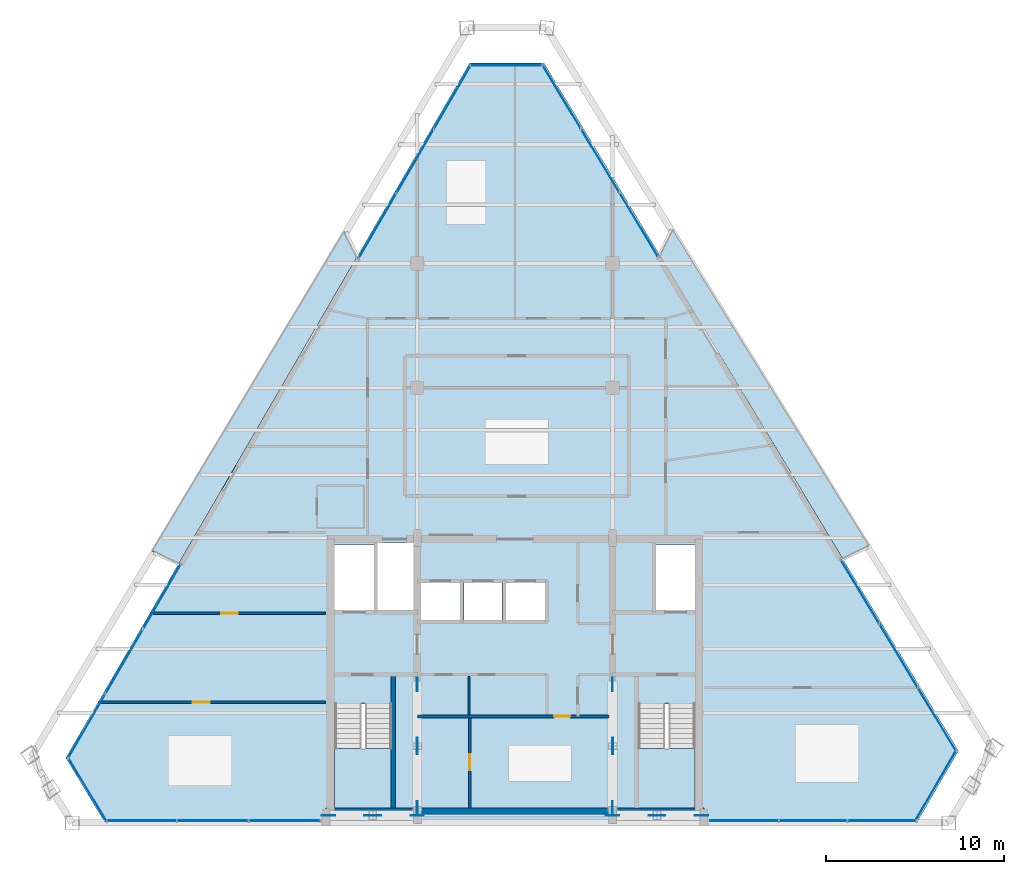
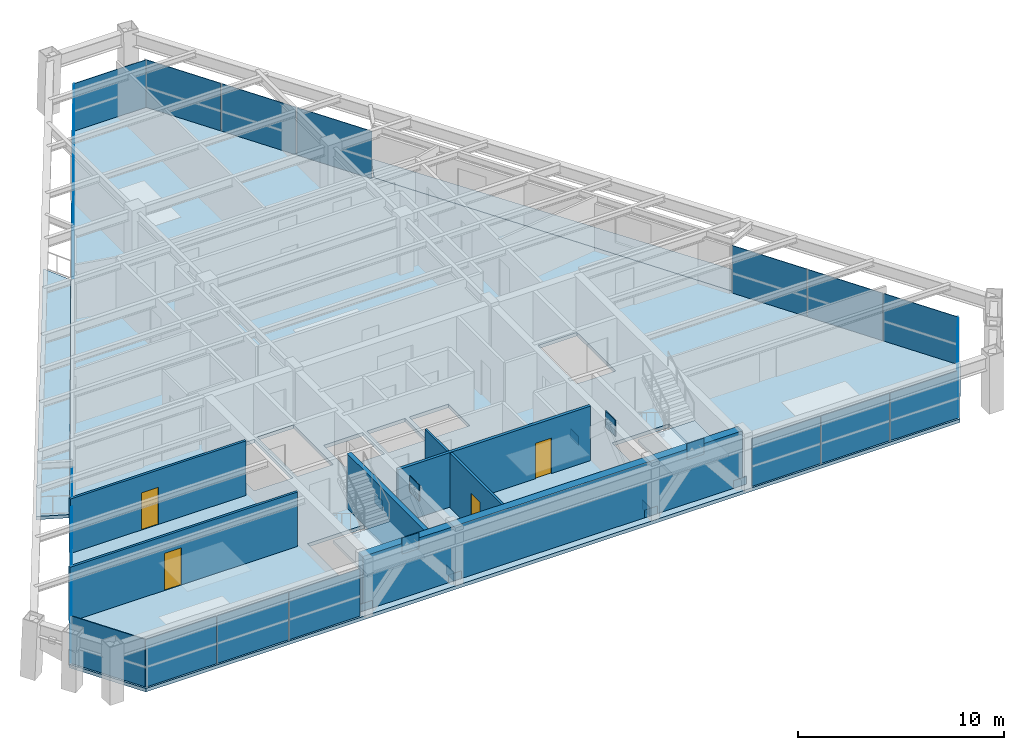
# One storey, part 8 of 13: 33 plates, 7 walls, 5 slabs, 4 doors, 4 openings, 11 elements without a shape of their own.
"""IFC4 building model written with IfcOpenShell, lengths in metres."""

from ifc_helpers import new_model, si_unit, direction, frame, frame_2d, origin, origin_2d, place, context, subcontext, project, spatial, polyline, rectangle, outline, extrude, source, transform, mapped, material, layer, layer_set, type_object, type_shapes, element, fill, aggregate, save


model = new_model("IFC4")

# Units and contexts
model_context = context("Model", 3, precision=1e-05, world=origin(), true_north=direction((0.0, 1.0)))
body_context = subcontext(model_context, "Body", "Model", "MODEL_VIEW")
ifc_project = project(units=[si_unit("LENGTHUNIT", "METRE"), si_unit("AREAUNIT", "SQUARE_METRE"), si_unit("VOLUMEUNIT", "CUBIC_METRE"), si_unit("PLANEANGLEUNIT", "RADIAN"), si_unit("MASSUNIT", "GRAM", prefix="KILO")], contexts=[model_context])

# Site, building, storey
site_placement = place(None, origin())
site = spatial("IfcSite", under=ifc_project, at=site_placement, CompositionType="ELEMENT")
building_placement = place(site_placement, origin())
building = spatial("IfcBuilding", under=site, at=building_placement, Name="Varnakhor Terracotta Tower", CompositionType="ELEMENT")
storey_placement = place(building_placement, frame((0.0, 0.0, 262.64990234375)))
storey = spatial("IfcBuildingStorey", under=building, at=storey_placement, Name="L68", CompositionType="ELEMENT", Elevation=262.64990234375)

# Slab
ifc_material_1 = material(Name="Concrete C40/50", Category="concrete")
ifc_layer_1 = layer(ifc_material_1, 0.2099609375, Name="Concrete C40/50")
ifc_layer_set_1 = layer_set([ifc_layer_1], Name="Concrete C40/50")
slab_type_1 = type_object("IfcSlabType", Name="SLB-HTL-210", PredefinedType="FLOOR", material=ifc_layer_set_1)
slab_1_placement = place(storey_placement, frame((0.0, 0.0, -0.2099609375)))
element("IfcSlab", 1, at=slab_1_placement, inside=storey, type_object=slab_type_1, Name="L68 Structural Floor Slab", PredefinedType="FLOOR", context=body_context, shape_type="SweptSolid", body=[
    extrude(outline(polyline([(-25.290771484375, 3.66259765625), (-2.554931640625, 42.78125), (1.635009765625, 42.78125), (24.976318359375, 4.053955078125), (22.6201171875, 0.0), (-23.083251953125, 0.0), (-25.290771484375, 3.66259765625)]), holes=[polyline([(-6.949951171875, 0.85009765625), (-6.949951171875, 6.695068359375), (-10.14990234375, 6.695068359375), (-10.14990234375, 0.85009765625), (-6.949951171875, 0.85009765625)]), polyline([(10.14990234375, 0.85009765625), (10.14990234375, 6.695068359375), (6.949951171875, 6.695068359375), (6.949951171875, 0.85009765625), (10.14990234375, 0.85009765625)]), polyline([(-3.10009765625, 11.419921875), (-3.10009765625, 13.52001953125), (-5.300048828125, 13.52001953125), (-5.300048828125, 11.419921875), (-3.10009765625, 11.419921875)]), polyline([(-0.719970703125, 11.419921875), (-0.719970703125, 13.52001953125), (-2.8798828125, 13.52001953125), (-2.8798828125, 11.419921875), (-0.719970703125, 11.419921875)]), polyline([(1.699951171875, 11.419921875), (1.699951171875, 13.52001953125), (-0.5, 13.52001953125), (-0.5, 11.419921875), (1.699951171875, 11.419921875)]), polyline([(-7.949951171875, 11.8798828125), (-7.949951171875, 15.64990234375), (-10.14990234375, 15.64990234375), (-10.14990234375, 11.8798828125), (-7.949951171875, 11.8798828125)]), polyline([(10.14990234375, 11.8798828125), (10.14990234375, 15.64990234375), (7.949951171875, 15.64990234375), (7.949951171875, 11.8798828125), (10.14990234375, 11.8798828125)]), polyline([(-5.699951171875, 11.8798828125), (-5.699951171875, 15.75), (-7.72998046875, 15.75), (-7.72998046875, 11.8798828125), (-5.699951171875, 11.8798828125)])]), origin(), (0.0, 0.0, 1.0), 0.2099609375),
])

# Stair, slab
stair_type = type_object("IfcStairType", Name="STR-CORE-HOTEL-1500", PredefinedType="HALF_TURN_STAIR", material=ifc_material_1)
stair_1_placement = place(storey_placement, origin())
stair_1 = element("IfcStair", 2, at=stair_1_placement, inside=storey, type_object=stair_type, Name="L68 Core Exit Stair ST-1", PredefinedType="HALF_TURN_STAIR")
ifc_layer_2 = layer(ifc_material_1, 0.179931640625, Name="Concrete C40/50")
ifc_layer_set_2 = layer_set([ifc_layer_2], Name="Concrete C40/50")
slab_type_2 = type_object("IfcSlabType", Name="SLB-LANDING-180", PredefinedType="LANDING", material=ifc_layer_set_2)
slab_2_placement = place(storey_placement, frame((0.0, 0.0, 1.525146484375)))
slab_2 = element("IfcSlab", 3, at=slab_2_placement, type_object=slab_type_2, Name="ST-1 landing 1", PredefinedType="LANDING", context=body_context, shape_type="SweptSolid", body=[
    extrude(outline(polyline([(-10.14990234375, 4.18994140625), (-10.14990234375, 0.85009765625), (-6.949951171875, 0.85009765625), (-6.949951171875, 4.18994140625), (-10.14990234375, 4.18994140625)])), origin(), (0.0, 0.0, 1.0), 0.199951171875),
])
aggregate(stair_1, [slab_2])

stair_2_placement = place(storey_placement, origin())
stair_2 = element("IfcStair", 4, at=stair_2_placement, inside=storey, type_object=stair_type, Name="L68 Core Exit Stair ST-2", PredefinedType="HALF_TURN_STAIR")
slab_3_placement = place(storey_placement, frame((0.0, 0.0, 1.525146484375)))
slab_3 = element("IfcSlab", 5, at=slab_3_placement, type_object=slab_type_2, Name="ST-2 landing 1", PredefinedType="LANDING", context=body_context, shape_type="SweptSolid", body=[
    extrude(outline(polyline([(6.949951171875, 4.18994140625), (6.949951171875, 0.85009765625), (10.14990234375, 0.85009765625), (10.14990234375, 4.18994140625), (6.949951171875, 4.18994140625)])), origin(), (0.0, 0.0, 1.0), 0.199951171875),
])
aggregate(stair_2, [slab_3])

# Slabs
ifc_layer_3 = layer(ifc_material_1, 0.195068359375, Name="Concrete C40/50")
ifc_layer_set_3 = layer_set([ifc_layer_3], Name="Concrete C40/50")
slab_type_3 = type_object("IfcSlabType", Name="SLB-LOGGIA-EXT-195", PredefinedType="FLOOR", material=ifc_layer_set_3)
slab_4_placement = place(storey_placement, frame((0.0, 0.0, -0.19482421875)))
element("IfcSlab", 6, at=slab_4_placement, inside=storey, type_object=slab_type_3, Name="L68 E Recessed Outdoor Loggia Slab", PredefinedType="FLOOR", context=body_context, shape_type="SweptSolid", body=[
    extrude(outline(polyline([(8.853515625, 33.419921875), (19.93310546875, 15.589111328125), (18.440673828125, 14.8974609375), (8.17041015625, 31.9375), (8.853515625, 33.419921875)])), origin(), (0.0, 0.0, 1.0), 0.19482421875),
])
slab_5_placement = place(storey_placement, frame((0.0, 0.0, -0.19482421875)))
element("IfcSlab", 7, at=slab_5_placement, inside=storey, type_object=slab_type_3, Name="L68 W Recessed Outdoor Loggia Slab", PredefinedType="FLOOR", context=body_context, shape_type="SweptSolid", body=[
    extrude(outline(polyline([(-20.4306640625, 15.294189453125), (-9.609375, 33.305419921875), (-8.9208984375, 31.827880859375), (-13.785400390625, 23.45849609375), (-18.9248046875, 14.615966796875), (-20.4306640625, 15.294189453125)])), origin(), (0.0, 0.0, 1.0), 0.19482421875),
])

# Plates
ifc_material_2 = material(Name="Steel S460", Category="steel")
ifc_layer_4 = layer(ifc_material_2, 0.050048828125, Name="Steel S460")
ifc_layer_set_4 = layer_set([ifc_layer_4], Name="Steel S460")
plate_type_1 = type_object("IfcPlateType", Name="PLT-GUSSET-50", PredefinedType="USERDEFINED", material=ifc_layer_set_4)
shared_shape_1 = source(origin(), body_context, "Body", "SweptSolid", [
    extrude(rectangle(XDim=0.75, YDim=0.0400390625, at=origin_2d()), origin(), (0.0, 0.0, 1.0), 0.550048828125),
])
type_shapes(plate_type_1, [shared_shape_1])
for number, where, z_axis, x_axis, name in (
    (8, (-10.5, 0.419921875, -0.0947265625), (0.0, 0.0, 1.0), (1.0, 0.0, 0.0), "L68 Core Brace Embed Plate CSWA"),
    (9, (-5.5, 0.419921875, -0.0947265625), (0.0, 0.0, 1.0), (1.0, 0.0, 0.0), "L68 Core Brace Embed Plate CSWB"),
    (10, (5.5, 0.419921875, -0.0947265625), (0.0, 0.0, 1.0), (1.0, 0.0, 0.0), "L68 Core Brace Embed Plate CSEA"),
    (11, (10.5, 0.419921875, -0.0947265625), (0.0, 0.0, 1.0), (1.0, 0.0, 0.0), "L68 Core Brace Embed Plate CSEB"),
    (12, (-5.5, 0.85009765625, -0.0947265625), (0.0, 0.0, 1.0), (0.0, 1.0, 0.0), "L68 Core Brace Embed Plate CWWA"),
    (13, (-5.5, 7.800048828125, -0.0947265625), (0.0, 0.0, 1.0), (0.0, 1.0, 0.0), "L68 Core Brace Embed Plate CWWB"),
    (14, (5.5, 0.85009765625, -0.0947265625), (0.0, 0.0, 1.0), (0.0, 1.0, 0.0), "L68 Core Brace Embed Plate CWEA"),
    (15, (5.5, 7.800048828125, -0.0947265625), (0.0, 0.0, 1.0), (0.0, 1.0, 0.0), "L68 Core Brace Embed Plate CWEB"),
):
    element("IfcPlate", number, at=place(storey_placement, frame(where, z_axis=z_axis, x_axis=x_axis)), inside=storey, type_object=plate_type_1, Name=name, ObjectType="GUSSET PLATE", PredefinedType="USERDEFINED", context=body_context, shape_type="MappedRepresentation", body=[
        mapped(shared_shape_1, transform((0.0, 0.0, 0.0), scale=1.0)),
    ])
shared_shape_2 = source(origin(), body_context, "Body", "SweptSolid", [
    extrude(rectangle(XDim=0.949951171875, YDim=0.044921875, at=origin_2d()), origin(), (0.0, 0.0, 1.0), 0.949951171875),
])
for number, where, z_axis, x_axis, name in (
    (16, (-8.0, 0.419921875, 2.615234375), (0.0, 0.0, 1.0), (1.0, 0.0, 0.0), "L68 Core Brace Apex Gusset CSW"),
    (17, (8.0, 0.419921875, 2.615234375), (0.0, 0.0, 1.0), (1.0, 0.0, 0.0), "L68 Core Brace Apex Gusset CSE"),
    (18, (-5.5, 4.324951171875, 2.615234375), (0.0, 0.0, 1.0), (0.0, 1.0, 0.0), "L68 Core Brace Apex Gusset CWW"),
    (19, (5.5, 4.324951171875, 2.615234375), (0.0, 0.0, 1.0), (0.0, 1.0, 0.0), "L68 Core Brace Apex Gusset CWE"),
):
    element("IfcPlate", number, at=place(storey_placement, frame(where, z_axis=z_axis, x_axis=x_axis)), inside=storey, type_object=plate_type_1, Name=name, ObjectType="GUSSET PLATE", PredefinedType="USERDEFINED", context=body_context, shape_type="MappedRepresentation", body=[
        mapped(shared_shape_2, transform((0.0, 0.0, 0.0), scale=1.0)),
    ])

# Curtain wall, plate
ifc_material_3 = material(Name="Anodised Aluminium Curtain Wall System", Category="aluminium")
curtain_wall_type = type_object("IfcCurtainWallType", Name="CW-SYS-HOTEL-LOGGIA", PredefinedType="NOTDEFINED", material=ifc_material_3)
curtain_wall_1_placement = place(storey_placement, origin())
curtain_wall_1 = element("IfcCurtainWall", 20, at=curtain_wall_1_placement, inside=storey, type_object=curtain_wall_type, Name="L68 W Facet Curtain Wall 1", PredefinedType="NOTDEFINED")
ifc_material_4 = material(Name="Solar-Control Low-E Insulated Glass Panel", Category="glass")
ifc_layer_5 = layer(ifc_material_4, 0.033935546875, Name="Solar-Control Low-E Insulated Glass Panel")
ifc_layer_set_5 = layer_set([ifc_layer_5], Name="Solar-Control Low-E Insulated Glass Panel")
plate_type_2 = type_object("IfcPlateType", Name="CWP-04", PredefinedType="CURTAIN_PANEL", material=ifc_layer_set_5)
shared_shape_3 = source(origin(), body_context, "Body", "SweptSolid", [
    extrude(rectangle(XDim=4.1630859375, YDim=0.035888671875, at=origin_2d()), origin(), (0.0, 0.0, 1.0), 2.820068359375),
])
plate_1_placement = place(storey_placement, frame((-24.115966796875, 5.4453125, 0.0), z_axis=(0.0, 0.0, 1.0), x_axis=(0.502491897378, 0.864581918079, 0.0)))
plate_1 = element("IfcPlate", 21, at=plate_1_placement, type_object=plate_type_2, Name="L68 W Facet Curtain Wall 1 Glazed Panel 1", PredefinedType="CURTAIN_PANEL", context=body_context, shape_type="MappedRepresentation", body=[
    mapped(shared_shape_3, transform((0.0, 0.0, 0.0), scale=1.0)),
])

curtain_wall_2_placement = place(storey_placement, origin())
curtain_wall_2 = element("IfcCurtainWall", 22, at=curtain_wall_2_placement, inside=storey, type_object=curtain_wall_type, Name="L68 W Facet Curtain Wall 2", PredefinedType="NOTDEFINED")
plate_2_placement = place(storey_placement, frame((-3.522216796875, 40.878173828125, 0.0), z_axis=(0.0, 0.0, 1.0), x_axis=(0.502491897378, 0.864581918079, 0.0)))
plate_2 = element("IfcPlate", 23, at=plate_2_placement, type_object=plate_type_2, Name="L68 W Facet Curtain Wall 2 Glazed Panel 3", PredefinedType="CURTAIN_PANEL", context=body_context, shape_type="MappedRepresentation", body=[
    mapped(shared_shape_3, transform((0.0, 0.0, 0.0), scale=1.0)),
])

# Plate
shared_shape_4 = source(origin(), body_context, "Body", "SweptSolid", [
    extrude(rectangle(XDim=4.162841796875, YDim=0.035888671875, at=origin_2d()), origin(), (0.0, 0.0, 1.0), 2.820068359375),
])
plate_3_placement = place(storey_placement, frame((-22.00390625, 9.0791015625, 0.0), z_axis=(0.0, 0.0, 1.0), x_axis=(0.502491897378, 0.864581918079, 0.0)))
plate_3 = element("IfcPlate", 24, at=plate_3_placement, type_object=plate_type_2, Name="L68 W Facet Curtain Wall 1 Glazed Panel 2", PredefinedType="CURTAIN_PANEL", context=body_context, shape_type="MappedRepresentation", body=[
    mapped(shared_shape_4, transform((0.0, 0.0, 0.0), scale=1.0)),
])

plate_4_placement = place(storey_placement, frame((-19.89208984375, 12.712646484375, 0.0), z_axis=(0.0, 0.0, 1.0), x_axis=(0.502491897378, 0.864581918079, 0.0)))
plate_4 = element("IfcPlate", 25, at=plate_4_placement, type_object=plate_type_2, Name="L68 W Facet Curtain Wall 1 Glazed Panel 3", PredefinedType="CURTAIN_PANEL", context=body_context, shape_type="MappedRepresentation", body=[
    mapped(shared_shape_4, transform((0.0, 0.0, 0.0), scale=1.0)),
])

aggregate(curtain_wall_1, [plate_1, plate_3, plate_4])

plate_5_placement = place(storey_placement, frame((-7.74609375, 33.610595703125, 0.0), z_axis=(0.0, 0.0, 1.0), x_axis=(0.502491897378, 0.864581918079, 0.0)))
plate_5 = element("IfcPlate", 26, at=plate_5_placement, type_object=plate_type_2, Name="L68 W Facet Curtain Wall 2 Glazed Panel 1", PredefinedType="CURTAIN_PANEL", context=body_context, shape_type="MappedRepresentation", body=[
    mapped(shared_shape_4, transform((0.0, 0.0, 0.0), scale=1.0)),
])

plate_6_placement = place(storey_placement, frame((-5.63427734375, 37.244384765625, 0.0), z_axis=(0.0, 0.0, 1.0), x_axis=(0.502491897378, 0.864581918079, 0.0)))
plate_6 = element("IfcPlate", 27, at=plate_6_placement, type_object=plate_type_2, Name="L68 W Facet Curtain Wall 2 Glazed Panel 2", PredefinedType="CURTAIN_PANEL", context=body_context, shape_type="MappedRepresentation", body=[
    mapped(shared_shape_4, transform((0.0, 0.0, 0.0), scale=1.0)),
])

aggregate(curtain_wall_2, [plate_5, plate_6, plate_2])

# Curtain wall, plate
curtain_wall_3_placement = place(storey_placement, origin())
curtain_wall_3 = element("IfcCurtainWall", 28, at=curtain_wall_3_placement, inside=storey, type_object=curtain_wall_type, Name="L68 Facet Curtain Wall 2", PredefinedType="NOTDEFINED")
shared_shape_5 = source(origin(), body_context, "Body", "SweptSolid", [
    extrude(rectangle(XDim=4.08984375, YDim=0.035888671875, at=origin_2d()), origin(), (0.0, 0.0, 1.0), 2.820068359375),
])
plate_7_placement = place(storey_placement, frame((-0.4599609375, 42.6611328125, 0.0), z_axis=(0.0, 0.0, 1.0), x_axis=(1.0, 0.0, 0.0)))
plate_7 = element("IfcPlate", 29, at=plate_7_placement, type_object=plate_type_2, Name="L68 Facet Curtain Wall 2 Glazed Panel 1", PredefinedType="CURTAIN_PANEL", context=body_context, shape_type="MappedRepresentation", body=[
    mapped(shared_shape_5, transform((0.0, 0.0, 0.0), scale=1.0)),
])
aggregate(curtain_wall_3, [plate_7])

# Curtain wall, plates
curtain_wall_4_placement = place(storey_placement, origin())
curtain_wall_4 = element("IfcCurtainWall", 30, at=curtain_wall_4_placement, inside=storey, type_object=curtain_wall_type, Name="L68 E Facet Curtain Wall 1", PredefinedType="NOTDEFINED")
shared_shape_6 = source(origin(), body_context, "Body", "SweptSolid", [
    extrude(rectangle(XDim=4.160400390625, YDim=0.035888671875, at=origin_2d()), origin(), (0.0, 0.0, 1.0), 2.820068359375),
])
plate_8_placement = place(storey_placement, frame((2.631591796875, 40.89501953125, 0.0), z_axis=(0.0, 0.0, 1.0), x_axis=(0.516204507839, -0.856465356034, 0.0)))
plate_8 = element("IfcPlate", 31, at=plate_8_placement, type_object=plate_type_2, Name="L68 E Facet Curtain Wall 1 Glazed Panel 1", PredefinedType="CURTAIN_PANEL", context=body_context, shape_type="MappedRepresentation", body=[
    mapped(shared_shape_6, transform((0.0, 0.0, 0.0), scale=1.0)),
])
plate_9_placement = place(storey_placement, frame((4.7998046875, 37.29736328125, 0.0), z_axis=(0.0, 0.0, 1.0), x_axis=(0.516204507839, -0.856465356034, 0.0)))
plate_9 = element("IfcPlate", 32, at=plate_9_placement, type_object=plate_type_2, Name="L68 E Facet Curtain Wall 1 Glazed Panel 2", PredefinedType="CURTAIN_PANEL", context=body_context, shape_type="MappedRepresentation", body=[
    mapped(shared_shape_6, transform((0.0, 0.0, 0.0), scale=1.0)),
])
plate_10_placement = place(storey_placement, frame((6.968017578125, 33.699951171875, 0.0), z_axis=(0.0, 0.0, 1.0), x_axis=(0.516204507839, -0.856465356034, 0.0)))
plate_10 = element("IfcPlate", 33, at=plate_10_placement, type_object=plate_type_2, Name="L68 E Facet Curtain Wall 1 Glazed Panel 3", PredefinedType="CURTAIN_PANEL", context=body_context, shape_type="MappedRepresentation", body=[
    mapped(shared_shape_6, transform((0.0, 0.0, 0.0), scale=1.0)),
])
aggregate(curtain_wall_4, [plate_8, plate_9, plate_10])

curtain_wall_5_placement = place(storey_placement, origin())
curtain_wall_5 = element("IfcCurtainWall", 34, at=curtain_wall_5_placement, inside=storey, type_object=curtain_wall_type, Name="L68 E Facet Curtain Wall 2", PredefinedType="NOTDEFINED")
plate_11_placement = place(storey_placement, frame((19.4375, 13.01123046875, 0.0), z_axis=(0.0, 0.0, 1.0), x_axis=(0.516204507839, -0.856465356034, 0.0)))
plate_11 = element("IfcPlate", 35, at=plate_11_placement, type_object=plate_type_2, Name="L68 E Facet Curtain Wall 2 Glazed Panel 1", PredefinedType="CURTAIN_PANEL", context=body_context, shape_type="MappedRepresentation", body=[
    mapped(shared_shape_6, transform((0.0, 0.0, 0.0), scale=1.0)),
])
plate_12_placement = place(storey_placement, frame((21.605712890625, 9.413818359375, 0.0), z_axis=(0.0, 0.0, 1.0), x_axis=(0.516204507839, -0.856465356034, 0.0)))
plate_12 = element("IfcPlate", 36, at=plate_12_placement, type_object=plate_type_2, Name="L68 E Facet Curtain Wall 2 Glazed Panel 2", PredefinedType="CURTAIN_PANEL", context=body_context, shape_type="MappedRepresentation", body=[
    mapped(shared_shape_6, transform((0.0, 0.0, 0.0), scale=1.0)),
])
plate_13_placement = place(storey_placement, frame((23.773681640625, 5.81640625, 0.0), z_axis=(0.0, 0.0, 1.0), x_axis=(0.516204507839, -0.856465356034, 0.0)))
plate_13 = element("IfcPlate", 37, at=plate_13_placement, type_object=plate_type_2, Name="L68 E Facet Curtain Wall 2 Glazed Panel 3", PredefinedType="CURTAIN_PANEL", context=body_context, shape_type="MappedRepresentation", body=[
    mapped(shared_shape_6, transform((0.0, 0.0, 0.0), scale=1.0)),
])
aggregate(curtain_wall_5, [plate_11, plate_12, plate_13])

# Curtain wall, plate
curtain_wall_6_placement = place(storey_placement, origin())
curtain_wall_6 = element("IfcCurtainWall", 38, at=curtain_wall_6_placement, inside=storey, type_object=curtain_wall_type, Name="L68 Facet Curtain Wall 4", PredefinedType="NOTDEFINED")
shared_shape_7 = source(origin(), body_context, "Body", "SweptSolid", [
    extrude(rectangle(XDim=4.5888671875, YDim=0.035888671875, at=origin_2d()), origin(), (0.0, 0.0, 1.0), 2.820068359375),
])
plate_14_placement = place(storey_placement, frame((23.6943359375, 2.08740234375, 0.0), z_axis=(0.0, 0.0, 1.0), x_axis=(-0.502491897378, -0.864581918079, 0.0)))
plate_14 = element("IfcPlate", 39, at=plate_14_placement, type_object=plate_type_2, Name="L68 Facet Curtain Wall 4 Glazed Panel 1", PredefinedType="CURTAIN_PANEL", context=body_context, shape_type="MappedRepresentation", body=[
    mapped(shared_shape_7, transform((0.0, 0.0, 0.0), scale=1.0)),
])
aggregate(curtain_wall_6, [plate_14])

# Curtain wall, plates
curtain_wall_7_placement = place(storey_placement, origin())
curtain_wall_7 = element("IfcCurtainWall", 40, at=curtain_wall_7_placement, inside=storey, type_object=curtain_wall_type, Name="L68 South Wing Curtain Wall SSE", PredefinedType="NOTDEFINED")
shared_shape_8 = source(origin(), body_context, "Body", "SweptSolid", [
    extrude(rectangle(XDim=3.840087890625, YDim=0.035888671875, at=origin_2d()), origin(), (0.0, 0.0, 1.0), 2.820068359375),
])
plate_15_placement = place(storey_placement, frame((20.670166015625, 0.1201171875, 0.0), z_axis=(0.0, 0.0, 1.0), x_axis=(-1.0, 0.0, 0.0)))
plate_15 = element("IfcPlate", 41, at=plate_15_placement, type_object=plate_type_2, Name="L68 South Wing Curtain Wall SSE Glazed Panel 1", PredefinedType="CURTAIN_PANEL", context=body_context, shape_type="MappedRepresentation", body=[
    mapped(shared_shape_8, transform((0.0, 0.0, 0.0), scale=1.0)),
])
plate_16_placement = place(storey_placement, frame((16.7900390625, 0.1201171875, 0.0), z_axis=(0.0, 0.0, 1.0), x_axis=(-1.0, 0.0, 0.0)))
plate_16 = element("IfcPlate", 42, at=plate_16_placement, type_object=plate_type_2, Name="L68 South Wing Curtain Wall SSE Glazed Panel 2", PredefinedType="CURTAIN_PANEL", context=body_context, shape_type="MappedRepresentation", body=[
    mapped(shared_shape_8, transform((0.0, 0.0, 0.0), scale=1.0)),
])
plate_17_placement = place(storey_placement, frame((12.909912109375, 0.1201171875, 0.0), z_axis=(0.0, 0.0, 1.0), x_axis=(-1.0, 0.0, 0.0)))
plate_17 = element("IfcPlate", 43, at=plate_17_placement, type_object=plate_type_2, Name="L68 South Wing Curtain Wall SSE Glazed Panel 3", PredefinedType="CURTAIN_PANEL", context=body_context, shape_type="MappedRepresentation", body=[
    mapped(shared_shape_8, transform((0.0, 0.0, 0.0), scale=1.0)),
])
aggregate(curtain_wall_7, [plate_15, plate_16, plate_17])

curtain_wall_8_placement = place(storey_placement, origin())
curtain_wall_8 = element("IfcCurtainWall", 44, at=curtain_wall_8_placement, inside=storey, type_object=curtain_wall_type, Name="L68 South Wing Curtain Wall SSW", PredefinedType="NOTDEFINED")
shared_shape_9 = source(origin(), body_context, "Body", "SweptSolid", [
    extrude(rectangle(XDim=3.994384765625, YDim=0.035888671875, at=origin_2d()), origin(), (0.0, 0.0, 1.0), 2.820068359375),
])
plate_18_placement = place(storey_placement, frame((-12.9873046875, 0.1201171875, 0.0), z_axis=(0.0, 0.0, 1.0), x_axis=(-1.0, 0.0, 0.0)))
plate_18 = element("IfcPlate", 45, at=plate_18_placement, type_object=plate_type_2, Name="L68 South Wing Curtain Wall SSW Glazed Panel 1", PredefinedType="CURTAIN_PANEL", context=body_context, shape_type="MappedRepresentation", body=[
    mapped(shared_shape_9, transform((0.0, 0.0, 0.0), scale=1.0)),
])
plate_19_placement = place(storey_placement, frame((-17.021728515625, 0.1201171875, 0.0), z_axis=(0.0, 0.0, 1.0), x_axis=(-1.0, 0.0, 0.0)))
plate_19 = element("IfcPlate", 46, at=plate_19_placement, type_object=plate_type_2, Name="L68 South Wing Curtain Wall SSW Glazed Panel 2", PredefinedType="CURTAIN_PANEL", context=body_context, shape_type="MappedRepresentation", body=[
    mapped(shared_shape_9, transform((0.0, 0.0, 0.0), scale=1.0)),
])
plate_20_placement = place(storey_placement, frame((-21.05615234375, 0.1201171875, 0.0), z_axis=(0.0, 0.0, 1.0), x_axis=(-1.0, 0.0, 0.0)))
plate_20 = element("IfcPlate", 47, at=plate_20_placement, type_object=plate_type_2, Name="L68 South Wing Curtain Wall SSW Glazed Panel 3", PredefinedType="CURTAIN_PANEL", context=body_context, shape_type="MappedRepresentation", body=[
    mapped(shared_shape_9, transform((0.0, 0.0, 0.0), scale=1.0)),
])
aggregate(curtain_wall_8, [plate_18, plate_19, plate_20])

# Curtain wall, plate
curtain_wall_9_placement = place(storey_placement, origin())
curtain_wall_9 = element("IfcCurtainWall", 48, at=curtain_wall_9_placement, inside=storey, type_object=curtain_wall_type, Name="L68 Facet Curtain Wall 6", PredefinedType="NOTDEFINED")
shared_shape_10 = source(origin(), body_context, "Body", "SweptSolid", [
    extrude(rectangle(XDim=4.176513671875, YDim=0.035888671875, at=origin_2d()), origin(), (0.0, 0.0, 1.0), 2.820068359375),
])
plate_21_placement = place(storey_placement, frame((-24.084228515625, 1.893310546875, 0.0), z_axis=(0.0, 0.0, 1.0), x_axis=(-0.51618955962, 0.856474365372, 0.0)))
plate_21 = element("IfcPlate", 49, at=plate_21_placement, type_object=plate_type_2, Name="L68 Facet Curtain Wall 6 Glazed Panel 1", PredefinedType="CURTAIN_PANEL", context=body_context, shape_type="MappedRepresentation", body=[
    mapped(shared_shape_10, transform((0.0, 0.0, 0.0), scale=1.0)),
])
aggregate(curtain_wall_9, [plate_21])

# Wall
ifc_material_5 = material(Name="Concrete C50/60", Category="concrete")
ifc_layer_6 = layer(ifc_material_5, 0.449951171875, Name="Concrete C50/60")
ifc_layer_set_6 = layer_set([ifc_layer_6], Name="Concrete C50/60")
wall_type_1 = type_object("IfcWallType", Name="WAL-CORE-450", PredefinedType="SHEAR", material=ifc_layer_set_6)
wall_1_placement = place(storey_placement, frame((-10.64990234375, 0.625, 0.0), z_axis=(0.0, 0.0, 1.0), x_axis=(1.0, 0.0, 0.0)))
element("IfcWall", 50, at=wall_1_placement, inside=storey, type_object=wall_type_1, Name="L68 South Core Shear Wall", PredefinedType="SHEAR", context=body_context, shape_type="SweptSolid", body=[
    extrude(rectangle(XDim=21.2998046875, YDim=0.449951171875, at=frame_2d((10.64990234375, 0.0))), origin(), (0.0, 0.0, 1.0), 3.239990234375),
])

# Wall, opening, door
ifc_material_6 = material(Name="Acoustic Hotel Room Partition", Category="gypsum")
ifc_layer_7 = layer(ifc_material_6, 0.1298828125, Name="Acoustic Hotel Room Partition")
ifc_layer_set_7 = layer_set([ifc_layer_7], Name="Acoustic Hotel Room Partition")
wall_type_2 = type_object("IfcWallType", Name="WAL-PART-130", PredefinedType="PARTITIONING", material=ifc_layer_set_7)
wall_2_placement = place(storey_placement, frame((-23.455810546875, 6.800048828125, 0.0), z_axis=(0.0, 0.0, 1.0), x_axis=(1.0, 0.0, 0.0)))
wall_2 = element("IfcWall", 51, at=wall_2_placement, inside=storey, type_object=wall_type_2, Name="L68 SW Key Split 1", PredefinedType="PARTITIONING", context=body_context, shape_type="SweptSolid", body=[
    extrude(rectangle(XDim=12.77587890625, YDim=0.1298828125, at=frame_2d((6.387939453125, 0.0))), origin(), (0.0, 0.0, 1.0), 3.232177734375),
])
opening_1_placement = place(wall_2_placement, frame((5.30810546875, 0.0, 0.0)))
opening_1 = element("IfcOpeningElement", 52, at=opening_1_placement, cuts=wall_2, Name="Opening DR-94", PredefinedType="OPENING", context=body_context, shape_type="SweptSolid", body=[
    extrude(rectangle(XDim=0.949951171875, YDim=2.199951171875, at=frame_2d((0.47509765625, 1.10009765625))), frame((0.0, 0.074951171875, 0.0), z_axis=(0.0, -1.0, 0.0), x_axis=(1.0, 0.0, 0.0)), (0.0, 0.0, 1.0), 0.14990234375),
])
ifc_material_7 = material(Name="Acoustic Glazed-Vision Timber Office Door", Category="wood")
door_type_1 = type_object("IfcDoorType", Name="DR-OFF-950X2200", OperationType="NOTDEFINED", PredefinedType="DOOR", material=ifc_material_7)
shared_shape_11 = source(origin(), body_context, "Body", "SweptSolid", [
    extrude(rectangle(XDim=0.949951171875, YDim=2.199951171875, at=frame_2d((0.47509765625, 1.10009765625))), frame((0.0, 0.02490234375, 0.0), z_axis=(0.0, -1.0, 0.0), x_axis=(1.0, 0.0, 0.0)), (0.0, 0.0, 1.0), 0.050048828125),
])
type_shapes(door_type_1, [shared_shape_11])
door_1_placement = place(opening_1_placement, origin())
door_1 = element("IfcDoor", 53, at=door_1_placement, inside=storey, type_object=door_type_1, Name="L68 SW Suite Connect Door 1", OperationType="SINGLE_SWING_LEFT", OverallHeight=2.199951171875, OverallWidth=0.949951171875, PredefinedType="DOOR", context=body_context, shape_type="MappedRepresentation", body=[
    mapped(shared_shape_11, transform((0.0, 0.0, 0.0), scale=1.0)),
])
fill(opening_1, door_1)

wall_3_placement = place(storey_placement, frame((-20.5498046875, 11.800048828125, 0.0), z_axis=(0.0, 0.0, 1.0), x_axis=(1.0, 0.0, 0.0)))
wall_3 = element("IfcWall", 54, at=wall_3_placement, inside=storey, type_object=wall_type_2, Name="L68 SW Key Split 2", PredefinedType="PARTITIONING", context=body_context, shape_type="SweptSolid", body=[
    extrude(rectangle(XDim=9.869873046875, YDim=0.1298828125, at=frame_2d((4.93505859375, 0.0))), origin(), (0.0, 0.0, 1.0), 3.232177734375),
])
opening_2_placement = place(wall_3_placement, frame((4.00048828125, 0.0, 0.0)))
opening_2 = element("IfcOpeningElement", 55, at=opening_2_placement, cuts=wall_3, Name="Opening DR-94", PredefinedType="OPENING", context=body_context, shape_type="SweptSolid", body=[
    extrude(rectangle(XDim=0.949951171875, YDim=2.199951171875, at=frame_2d((0.47509765625, 1.10009765625))), frame((0.0, 0.074951171875, 0.0), z_axis=(0.0, -1.0, 0.0), x_axis=(1.0, 0.0, 0.0)), (0.0, 0.0, 1.0), 0.14990234375),
])
door_2_placement = place(opening_2_placement, origin())
door_2 = element("IfcDoor", 56, at=door_2_placement, inside=storey, type_object=door_type_1, Name="L68 SW Suite Connect Door 2", OperationType="SINGLE_SWING_RIGHT", OverallHeight=2.199951171875, OverallWidth=0.949951171875, PredefinedType="DOOR", context=body_context, shape_type="MappedRepresentation", body=[
    mapped(shared_shape_11, transform((0.0, 0.0, 0.0), scale=1.0)),
])
fill(opening_2, door_2)

# Walls
ifc_layer_8 = layer(ifc_material_1, 0.25, Name="Concrete C40/50")
ifc_layer_set_8 = layer_set([ifc_layer_8], Name="Concrete C40/50")
wall_type_3 = type_object("IfcWallType", Name="WAL-SHAFT-250", PredefinedType="SOLIDWALL", material=ifc_layer_set_8)
wall_4_placement = place(storey_placement, frame((-6.85009765625, 0.85009765625, 0.0), z_axis=(0.0, 0.0, 1.0), x_axis=(0.0, 1.0, 0.0)))
element("IfcWall", 57, at=wall_4_placement, inside=storey, type_object=wall_type_3, Name="L68 Stair ST-1 Bearing Shaft Wall", PredefinedType="SOLIDWALL", context=body_context, shape_type="SweptSolid", body=[
    extrude(rectangle(XDim=7.5, YDim=0.25, at=frame_2d((3.75, 0.0))), origin(), (0.0, 0.0, 1.0), 3.239990234375),
])
ifc_material_8 = material(Name="Acoustic Fire-Rated Partition", Category="gypsum")
ifc_layer_9 = layer(ifc_material_8, 0.114990234375, Name="Acoustic Fire-Rated Partition")
ifc_layer_set_9 = layer_set([ifc_layer_9], Name="Acoustic Fire-Rated Partition")
wall_type_4 = type_object("IfcWallType", Name="WAL-TENANCY-115", PredefinedType="PARTITIONING", material=ifc_layer_set_9)
wall_5_placement = place(storey_placement, frame((-2.60009765625, 6.10009765625, 0.0), z_axis=(0.0, 0.0, 1.0), x_axis=(0.0, 1.0, 0.0)))
element("IfcWall", 58, at=wall_5_placement, inside=storey, type_object=wall_type_4, Name="L68 Reclaimed Mid-Core Split Wall", PredefinedType="PARTITIONING", context=body_context, shape_type="SweptSolid", body=[
    extrude(rectangle(XDim=2.14990234375, YDim=0.114990234375, at=frame_2d((1.074951171875, 0.0))), origin(), (0.0, 0.0, 1.0), 3.232177734375),
])

# Wall, opening, door
ifc_layer_10 = layer(ifc_material_8, 0.139892578125, Name="Acoustic Fire-Rated Partition")
ifc_layer_set_10 = layer_set([ifc_layer_10], Name="Acoustic Fire-Rated Partition")
wall_type_5 = type_object("IfcWallType", Name="WAL-TENANCY-140", PredefinedType="PARTITIONING", material=ifc_layer_set_10)
wall_6_placement = place(storey_placement, frame((-2.550048828125, 0.85009765625, 0.0), z_axis=(0.0, 0.0, 1.0), x_axis=(0.0, 1.0, 0.0)))
wall_6 = element("IfcWall", 59, at=wall_6_placement, inside=storey, type_object=wall_type_5, Name="L68 Reclaimed Core Bay Split Wall", PredefinedType="PARTITIONING", context=body_context, shape_type="SweptSolid", body=[
    extrude(rectangle(XDim=5.02978515625, YDim=0.139892578125, at=frame_2d((2.514892578125, 0.0))), origin(), (0.0, 0.0, 1.0), 3.232177734375),
])
opening_3_placement = place(wall_6_placement, frame((2.10009765625, 0.0, 0.0)))
opening_3 = element("IfcOpeningElement", 60, at=opening_3_placement, cuts=wall_6, Name="Opening DR-67", PredefinedType="OPENING", context=body_context, shape_type="SweptSolid", body=[
    extrude(rectangle(XDim=0.89990234375, YDim=2.10009765625, at=frame_2d((0.449951171875, 1.050048828125))), frame((0.0, 0.080078125, 0.0), z_axis=(0.0, -1.0, 0.0), x_axis=(1.0, 0.0, 0.0)), (0.0, 0.0, 1.0), 0.159912109375),
])
ifc_material_9 = material(Name="Steel Service Riser Fire Door", Category="steel")
door_type_2 = type_object("IfcDoorType", Name="DR-RISER-900X2100", OperationType="NOTDEFINED", PredefinedType="DOOR", material=ifc_material_9)
shared_shape_12 = source(origin(), body_context, "Body", "SweptSolid", [
    extrude(rectangle(XDim=0.89990234375, YDim=2.10009765625, at=frame_2d((0.449951171875, 1.050048828125))), frame((0.0, 0.02490234375, 0.0), z_axis=(0.0, -1.0, 0.0), x_axis=(1.0, 0.0, 0.0)), (0.0, 0.0, 1.0), 0.050048828125),
])
type_shapes(door_type_2, [shared_shape_12])
door_3_placement = place(opening_3_placement, origin())
door_3 = element("IfcDoor", 61, at=door_3_placement, inside=storey, type_object=door_type_2, Name="L68 Core Inner Service Door", OperationType="SINGLE_SWING_RIGHT", OverallHeight=2.10009765625, OverallWidth=0.89990234375, PredefinedType="DOOR", context=body_context, shape_type="MappedRepresentation", body=[
    mapped(shared_shape_12, transform((0.0, 0.0, 0.0), scale=1.0)),
])
fill(opening_3, door_3)

ifc_layer_11 = layer(ifc_material_8, 0.1650390625, Name="Acoustic Fire-Rated Partition")
ifc_layer_set_11 = layer_set([ifc_layer_11], Name="Acoustic Fire-Rated Partition")
wall_type_6 = type_object("IfcWallType", Name="WAL-TENANCY-165", PredefinedType="PARTITIONING", material=ifc_layer_set_11)
wall_7_placement = place(storey_placement, frame((-5.5, 6.0, 0.0), z_axis=(0.0, 0.0, 1.0), x_axis=(1.0, 0.0, 0.0)))
wall_7 = element("IfcWall", 62, at=wall_7_placement, inside=storey, type_object=wall_type_6, Name="L68 Reclaimed Core Bay North Rated Wall", PredefinedType="PARTITIONING", context=body_context, shape_type="SweptSolid", body=[
    extrude(rectangle(XDim=10.800048828125, YDim=0.1650390625, at=frame_2d((5.39990234375, 0.0))), origin(), (0.0, 0.0, 1.0), 3.232177734375),
])
opening_4_placement = place(wall_7_placement, frame((7.699951171875, 0.0, 0.0)))
opening_4 = element("IfcOpeningElement", 63, at=opening_4_placement, cuts=wall_7, Name="Opening DR-67", PredefinedType="OPENING", context=body_context, shape_type="SweptSolid", body=[
    extrude(rectangle(XDim=0.89990234375, YDim=2.10009765625, at=frame_2d((0.449951171875, 1.050048828125))), frame((0.0, 0.092529296875, 0.0), z_axis=(0.0, -1.0, 0.0), x_axis=(1.0, 0.0, 0.0)), (0.0, 0.0, 1.0), 0.18505859375),
])
door_4_placement = place(opening_4_placement, origin())
door_4 = element("IfcDoor", 64, at=door_4_placement, inside=storey, type_object=door_type_2, Name="L68 Core Reclaimed Suite Door", OperationType="SINGLE_SWING_LEFT", OverallHeight=2.10009765625, OverallWidth=0.89990234375, PredefinedType="DOOR", context=body_context, shape_type="MappedRepresentation", body=[
    mapped(shared_shape_12, transform((0.0, 0.0, 0.0), scale=1.0)),
])
fill(opening_4, door_4)

save(model, "model.ifc")
